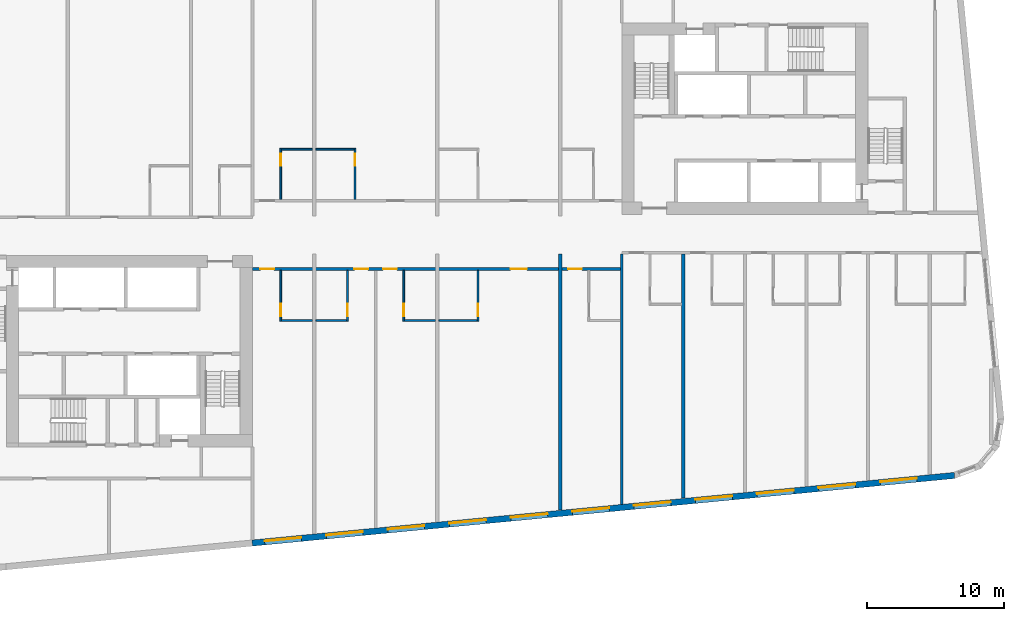
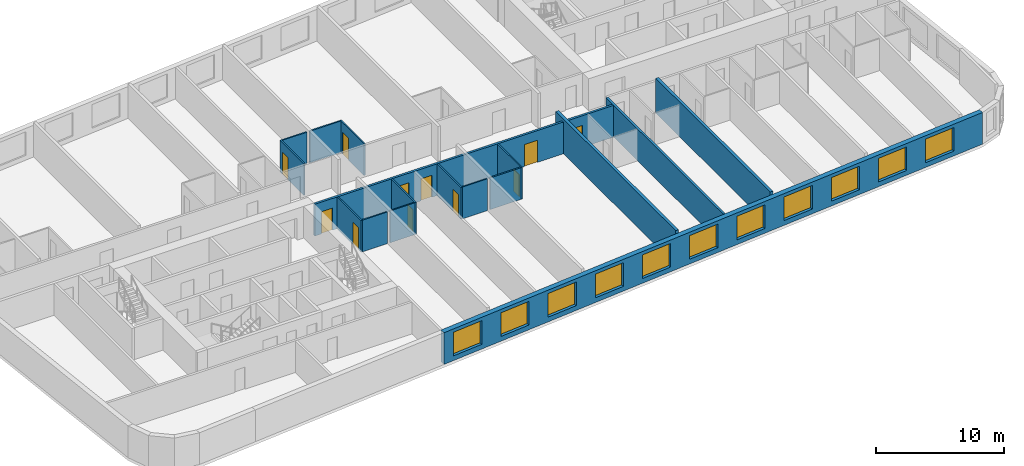
# One storey, part 4 of 12: 17 walls, 11 doors, 11 windows, 22 openings.
"""IFC4 building model written with IfcOpenShell, lengths in metres."""

from ifc_helpers import new_model, si_unit, direction, frame, frame_2d, origin, place, context, subcontext, project, spatial, rectangle, extrude, material, layer, layer_set, type_object, element, fill, save


model = new_model("IFC4")

# Units and contexts
model_context = context("Model", 3, precision=1e-05, world=origin(), true_north=direction((0.0, 1.0)))
body_context = subcontext(model_context, "Body", "Model", "MODEL_VIEW")
ifc_project = project(units=[si_unit("LENGTHUNIT", "METRE"), si_unit("AREAUNIT", "SQUARE_METRE"), si_unit("VOLUMEUNIT", "CUBIC_METRE"), si_unit("PLANEANGLEUNIT", "RADIAN"), si_unit("MASSUNIT", "GRAM", prefix="KILO")], contexts=[model_context])

# Site, building, storey
site_placement = place(None, origin())
site = spatial("IfcSite", under=ifc_project, at=site_placement, CompositionType="ELEMENT")
building_placement = place(site_placement, origin())
building = spatial("IfcBuilding", under=site, at=building_placement, Name="Kajstack Hotel Tower", CompositionType="ELEMENT")
storey_placement = place(building_placement, frame((0.0, 0.0, 190.0)))
storey = spatial("IfcBuildingStorey", under=building, at=storey_placement, Name="L45", CompositionType="ELEMENT", Elevation=190.0)

# Wall, openings, doors
ifc_material_1 = material(Name="Gypsum board on steel studs, mineral wool", Category="steel")
ifc_layer_1 = layer(ifc_material_1, 0.199951171875)
ifc_layer_set_1 = layer_set([ifc_layer_1], Name="Corridor wall 200")
wall_type_1 = type_object("IfcWallType", Name="Corridor wall 200", PredefinedType="PARTITIONING", material=ifc_layer_set_1)
wall_1_placement = place(storey_placement, frame((-13.5, -2.5, 0.0), z_axis=(0.0, 0.0, 1.0), x_axis=(1.0, 0.0, 0.0)))
wall_1 = element("IfcWall", 1, at=wall_1_placement, inside=storey, type_object=wall_type_1, Name="G-wall-L45-022", PredefinedType="PARTITIONING", context=body_context, shape_type="SweptSolid", body=[
    extrude(rectangle(XDim=27.0, YDim=0.199951171875, at=frame_2d((13.5, 0.0))), origin(), (0.0, 0.0, 1.0), 3.02001953125),
])
opening_1_placement = place(wall_1_placement, frame((0.574951171875, 0.0, 0.0)))
opening_1 = element("IfcOpeningElement", 2, at=opening_1_placement, cuts=wall_1, Name="Opening 45017", PredefinedType="OPENING", context=body_context, shape_type="SweptSolid", body=[
    extrude(rectangle(XDim=1.0, YDim=2.10009765625, at=frame_2d((0.5, 1.050048828125))), frame((0.0, 0.10986328125, 0.0), z_axis=(0.0, -1.0, 0.0), x_axis=(1.0, 0.0, 0.0)), (0.0, 0.0, 1.0), 0.219970703125),
])
opening_2_placement = place(wall_1_placement, frame((7.449951171875, 0.0, 0.0)))
opening_2 = element("IfcOpeningElement", 3, at=opening_2_placement, cuts=wall_1, Name="Opening 45019", PredefinedType="OPENING", context=body_context, shape_type="SweptSolid", body=[
    extrude(rectangle(XDim=1.0, YDim=2.10009765625, at=frame_2d((0.5, 1.050048828125))), frame((0.0, 0.10986328125, 0.0), z_axis=(0.0, -1.0, 0.0), x_axis=(1.0, 0.0, 0.0)), (0.0, 0.0, 1.0), 0.219970703125),
])
opening_3_placement = place(wall_1_placement, frame((9.550048828125, 0.0, 0.0)))
opening_3 = element("IfcOpeningElement", 4, at=opening_3_placement, cuts=wall_1, Name="Opening 45021", PredefinedType="OPENING", context=body_context, shape_type="SweptSolid", body=[
    extrude(rectangle(XDim=1.0, YDim=2.10009765625, at=frame_2d((0.5, 1.050048828125))), frame((0.0, 0.10986328125, 0.0), z_axis=(0.0, -1.0, 0.0), x_axis=(1.0, 0.0, 0.0)), (0.0, 0.0, 1.0), 0.219970703125),
])
opening_4_placement = place(wall_1_placement, frame((18.862060546875, 0.0, 0.0)))
opening_4 = element("IfcOpeningElement", 5, at=opening_4_placement, cuts=wall_1, Name="Opening 45023", PredefinedType="OPENING", context=body_context, shape_type="SweptSolid", body=[
    extrude(rectangle(XDim=1.199951171875, YDim=2.10009765625, at=frame_2d((0.60009765625, 1.050048828125))), frame((0.0, 0.10986328125, 0.0), z_axis=(0.0, -1.0, 0.0), x_axis=(1.0, 0.0, 0.0)), (0.0, 0.0, 1.0), 0.219970703125),
])
opening_5_placement = place(wall_1_placement, frame((23.074951171875, 0.0, 0.0)))
opening_5 = element("IfcOpeningElement", 6, at=opening_5_placement, cuts=wall_1, Name="Opening 45025", PredefinedType="OPENING", context=body_context, shape_type="SweptSolid", body=[
    extrude(rectangle(XDim=1.0, YDim=2.10009765625, at=frame_2d((0.5, 1.050048828125))), frame((0.0, 0.10986328125, 0.0), z_axis=(0.0, -1.0, 0.0), x_axis=(1.0, 0.0, 0.0)), (0.0, 0.0, 1.0), 0.219970703125),
])
ifc_material_2 = material(Name="Oak veneer on timber core, fire-rated leaf", Category="wood")
door_type_1 = type_object("IfcDoorType", Name="Flat entrance door 1000", OperationType="SINGLE_SWING_LEFT", PredefinedType="DOOR", material=ifc_material_2)
door_1_placement = place(opening_1_placement, origin())
door_1 = element("IfcDoor", 7, at=door_1_placement, inside=storey, type_object=door_type_1, Name="G-door-L45-17", OperationType="SINGLE_SWING_RIGHT", OverallHeight=2.10009765625, OverallWidth=1.0, PredefinedType="DOOR", context=body_context, shape_type="SweptSolid", body=[
    extrude(rectangle(XDim=1.0, YDim=2.10009765625, at=frame_2d((0.5, 1.050048828125))), frame((0.0, 0.02490234375, 0.0), z_axis=(0.0, -1.0, 0.0), x_axis=(1.0, 0.0, 0.0)), (0.0, 0.0, 1.0), 0.050048828125),
])
fill(opening_1, door_1)
door_2_placement = place(opening_2_placement, origin())
door_2 = element("IfcDoor", 8, at=door_2_placement, inside=storey, type_object=door_type_1, Name="G-door-L45-19", OperationType="SINGLE_SWING_LEFT", OverallHeight=2.10009765625, OverallWidth=1.0, PredefinedType="DOOR", context=body_context, shape_type="SweptSolid", body=[
    extrude(rectangle(XDim=1.0, YDim=2.10009765625, at=frame_2d((0.5, 1.050048828125))), frame((0.0, 0.02490234375, 0.0), z_axis=(0.0, -1.0, 0.0), x_axis=(1.0, 0.0, 0.0)), (0.0, 0.0, 1.0), 0.050048828125),
])
fill(opening_2, door_2)
door_3_placement = place(opening_3_placement, origin())
door_3 = element("IfcDoor", 9, at=door_3_placement, inside=storey, type_object=door_type_1, Name="G-door-L45-21", OperationType="SINGLE_SWING_LEFT", OverallHeight=2.10009765625, OverallWidth=1.0, PredefinedType="DOOR", context=body_context, shape_type="SweptSolid", body=[
    extrude(rectangle(XDim=1.0, YDim=2.10009765625, at=frame_2d((0.5, 1.050048828125))), frame((0.0, 0.02490234375, 0.0), z_axis=(0.0, -1.0, 0.0), x_axis=(1.0, 0.0, 0.0)), (0.0, 0.0, 1.0), 0.050048828125),
])
fill(opening_3, door_3)
door_4_placement = place(opening_5_placement, origin())
door_4 = element("IfcDoor", 10, at=door_4_placement, inside=storey, type_object=door_type_1, Name="G-door-L45-25", OperationType="SINGLE_SWING_RIGHT", OverallHeight=2.10009765625, OverallWidth=1.0, PredefinedType="DOOR", context=body_context, shape_type="SweptSolid", body=[
    extrude(rectangle(XDim=1.0, YDim=2.10009765625, at=frame_2d((0.5, 1.050048828125))), frame((0.0, 0.02490234375, 0.0), z_axis=(0.0, -1.0, 0.0), x_axis=(1.0, 0.0, 0.0)), (0.0, 0.0, 1.0), 0.050048828125),
])
fill(opening_5, door_4)
door_type_2 = type_object("IfcDoorType", Name="Flat entrance door 1200", OperationType="SINGLE_SWING_LEFT", PredefinedType="DOOR", material=ifc_material_2)
door_5_placement = place(opening_4_placement, origin())
door_5 = element("IfcDoor", 11, at=door_5_placement, inside=storey, type_object=door_type_2, Name="G-door-L45-23", OperationType="SINGLE_SWING_RIGHT", OverallHeight=2.10009765625, OverallWidth=1.199951171875, PredefinedType="DOOR", context=body_context, shape_type="SweptSolid", body=[
    extrude(rectangle(XDim=1.199951171875, YDim=2.10009765625, at=frame_2d((0.60009765625, 1.050048828125))), frame((0.0, 0.02490234375, 0.0), z_axis=(0.0, -1.0, 0.0), x_axis=(1.0, 0.0, 0.0)), (0.0, 0.0, 1.0), 0.050048828125),
])
fill(opening_4, door_5)

# Wall
ifc_material_3 = material(Name="Twin-frame gypsum board on steel studs, mineral wool", Category="steel")
ifc_layer_2 = layer(ifc_material_3, 0.199951171875)
ifc_layer_set_2 = layer_set([ifc_layer_2], Name="Demising wall 200")
wall_type_2 = type_object("IfcWallType", Name="Demising wall 200", PredefinedType="PARTITIONING", material=ifc_layer_set_2)
wall_2_placement = place(storey_placement, frame((13.5, -19.700927734375, 0.0), z_axis=(0.0, 0.0, 1.0), x_axis=(0.0, 1.0, 0.0)))
element("IfcWall", 12, at=wall_2_placement, inside=storey, type_object=wall_type_2, Name="G-wall-L45-033", PredefinedType="PARTITIONING", context=body_context, shape_type="SweptSolid", body=[
    extrude(rectangle(XDim=18.301025390625, YDim=0.199951171875, at=frame_2d((9.150390625, 0.0))), origin(), (0.0, 0.0, 1.0), 3.02001953125),
])

# Wall, openings, windows
ifc_material_4 = material(Name="Terracotta-faced brick masonry", Category="masonry")
ifc_layer_3 = layer(ifc_material_4, 0.449951171875)
ifc_layer_set_3 = layer_set([ifc_layer_3], Name="EW-TERRA")
wall_type_3 = type_object("IfcWallType", Name="EW-TERRA", PredefinedType="SOLIDWALL", material=ifc_layer_set_3)
wall_3_placement = place(storey_placement, frame((-13.521484375, -22.528564453125, 0.0), z_axis=(0.0, 0.0, 1.0), x_axis=(0.995396436651, 0.095843277819, 0.0)))
wall_3 = element("IfcWall", 13, at=wall_3_placement, inside=storey, type_object=wall_type_3, Name="E-wall-L45-04-02", PredefinedType="SOLIDWALL", context=body_context, shape_type="SweptSolid", body=[
    extrude(rectangle(XDim=51.57763671875, YDim=0.449951171875, at=frame_2d((25.788818359375, 0.0))), origin(), (0.0, 0.0, 1.0), 3.02001953125),
])
opening_6_placement = place(wall_3_placement, frame((0.910400390625, 0.0, 0.449951171875)))
opening_6 = element("IfcOpeningElement", 14, at=opening_6_placement, cuts=wall_3, Name="Opening W1", PredefinedType="OPENING", context=body_context, shape_type="SweptSolid", body=[
    extrude(rectangle(XDim=2.699951171875, YDim=2.25, at=frame_2d((1.35009765625, 1.125))), frame((0.0, 0.23486328125, 0.0), z_axis=(0.0, -1.0, 0.0), x_axis=(1.0, 0.0, 0.0)), (0.0, 0.0, 1.0), 0.469970703125),
])
opening_7_placement = place(wall_3_placement, frame((5.431396484375, 0.0, 0.449951171875)))
opening_7 = element("IfcOpeningElement", 15, at=opening_7_placement, cuts=wall_3, Name="Opening W1", PredefinedType="OPENING", context=body_context, shape_type="SweptSolid", body=[
    extrude(rectangle(XDim=2.699951171875, YDim=2.25, at=frame_2d((1.35009765625, 1.125))), frame((0.0, 0.23486328125, 0.0), z_axis=(0.0, -1.0, 0.0), x_axis=(1.0, 0.0, 0.0)), (0.0, 0.0, 1.0), 0.469970703125),
])
opening_8_placement = place(wall_3_placement, frame((9.9521484375, 0.0, 0.449951171875)))
opening_8 = element("IfcOpeningElement", 16, at=opening_8_placement, cuts=wall_3, Name="Opening W1", PredefinedType="OPENING", context=body_context, shape_type="SweptSolid", body=[
    extrude(rectangle(XDim=2.699951171875, YDim=2.25, at=frame_2d((1.35009765625, 1.125))), frame((0.0, 0.23486328125, 0.0), z_axis=(0.0, -1.0, 0.0), x_axis=(1.0, 0.0, 0.0)), (0.0, 0.0, 1.0), 0.469970703125),
])
opening_9_placement = place(wall_3_placement, frame((14.472900390625, 0.0, 0.449951171875)))
opening_9 = element("IfcOpeningElement", 17, at=opening_9_placement, cuts=wall_3, Name="Opening W1", PredefinedType="OPENING", context=body_context, shape_type="SweptSolid", body=[
    extrude(rectangle(XDim=2.699951171875, YDim=2.25, at=frame_2d((1.35009765625, 1.125))), frame((0.0, 0.23486328125, 0.0), z_axis=(0.0, -1.0, 0.0), x_axis=(1.0, 0.0, 0.0)), (0.0, 0.0, 1.0), 0.469970703125),
])
opening_10_placement = place(wall_3_placement, frame((18.99365234375, 0.0, 0.449951171875)))
opening_10 = element("IfcOpeningElement", 18, at=opening_10_placement, cuts=wall_3, Name="Opening W1", PredefinedType="OPENING", context=body_context, shape_type="SweptSolid", body=[
    extrude(rectangle(XDim=2.699951171875, YDim=2.25, at=frame_2d((1.35009765625, 1.125))), frame((0.0, 0.23486328125, 0.0), z_axis=(0.0, -1.0, 0.0), x_axis=(1.0, 0.0, 0.0)), (0.0, 0.0, 1.0), 0.469970703125),
])
opening_11_placement = place(wall_3_placement, frame((23.514404296875, 0.0, 0.449951171875)))
opening_11 = element("IfcOpeningElement", 19, at=opening_11_placement, cuts=wall_3, Name="Opening W1", PredefinedType="OPENING", context=body_context, shape_type="SweptSolid", body=[
    extrude(rectangle(XDim=2.699951171875, YDim=2.25, at=frame_2d((1.35009765625, 1.125))), frame((0.0, 0.23486328125, 0.0), z_axis=(0.0, -1.0, 0.0), x_axis=(1.0, 0.0, 0.0)), (0.0, 0.0, 1.0), 0.469970703125),
])
opening_12_placement = place(wall_3_placement, frame((28.035400390625, 0.0, 0.449951171875)))
opening_12 = element("IfcOpeningElement", 20, at=opening_12_placement, cuts=wall_3, Name="Opening W1", PredefinedType="OPENING", context=body_context, shape_type="SweptSolid", body=[
    extrude(rectangle(XDim=2.699951171875, YDim=2.25, at=frame_2d((1.35009765625, 1.125))), frame((0.0, 0.23486328125, 0.0), z_axis=(0.0, -1.0, 0.0), x_axis=(1.0, 0.0, 0.0)), (0.0, 0.0, 1.0), 0.469970703125),
])
opening_13_placement = place(wall_3_placement, frame((32.55615234375, 0.0, 0.449951171875)))
opening_13 = element("IfcOpeningElement", 21, at=opening_13_placement, cuts=wall_3, Name="Opening W1", PredefinedType="OPENING", context=body_context, shape_type="SweptSolid", body=[
    extrude(rectangle(XDim=2.699951171875, YDim=2.25, at=frame_2d((1.35009765625, 1.125))), frame((0.0, 0.23486328125, 0.0), z_axis=(0.0, -1.0, 0.0), x_axis=(1.0, 0.0, 0.0)), (0.0, 0.0, 1.0), 0.469970703125),
])
opening_14_placement = place(wall_3_placement, frame((37.076904296875, 0.0, 0.449951171875)))
opening_14 = element("IfcOpeningElement", 22, at=opening_14_placement, cuts=wall_3, Name="Opening W1", PredefinedType="OPENING", context=body_context, shape_type="SweptSolid", body=[
    extrude(rectangle(XDim=2.699951171875, YDim=2.25, at=frame_2d((1.35009765625, 1.125))), frame((0.0, 0.23486328125, 0.0), z_axis=(0.0, -1.0, 0.0), x_axis=(1.0, 0.0, 0.0)), (0.0, 0.0, 1.0), 0.469970703125),
])
opening_15_placement = place(wall_3_placement, frame((41.597900390625, 0.0, 0.449951171875)))
opening_15 = element("IfcOpeningElement", 23, at=opening_15_placement, cuts=wall_3, Name="Opening W1", PredefinedType="OPENING", context=body_context, shape_type="SweptSolid", body=[
    extrude(rectangle(XDim=2.699951171875, YDim=2.25, at=frame_2d((1.35009765625, 1.125))), frame((0.0, 0.23486328125, 0.0), z_axis=(0.0, -1.0, 0.0), x_axis=(1.0, 0.0, 0.0)), (0.0, 0.0, 1.0), 0.469970703125),
])
opening_16_placement = place(wall_3_placement, frame((46.11865234375, 0.0, 0.449951171875)))
opening_16 = element("IfcOpeningElement", 24, at=opening_16_placement, cuts=wall_3, Name="Opening W1", PredefinedType="OPENING", context=body_context, shape_type="SweptSolid", body=[
    extrude(rectangle(XDim=2.699951171875, YDim=2.25, at=frame_2d((1.35009765625, 1.125))), frame((0.0, 0.23486328125, 0.0), z_axis=(0.0, -1.0, 0.0), x_axis=(1.0, 0.0, 0.0)), (0.0, 0.0, 1.0), 0.469970703125),
])
ifc_material_5 = material(Name="Timber-aluminium window, triple glazed", Category="wood")
window_type = type_object("IfcWindowType", Name="WG1", PartitioningType="SINGLE_PANEL", PredefinedType="WINDOW", material=ifc_material_5)
window_1_placement = place(opening_6_placement, origin())
window_1 = element("IfcWindow", 25, at=window_1_placement, inside=storey, type_object=window_type, Name="Window W1 L45-04", OverallHeight=2.25, OverallWidth=2.699951171875, PartitioningType="SINGLE_PANEL", PredefinedType="WINDOW", context=body_context, shape_type="SweptSolid", body=[
    extrude(rectangle(XDim=2.699951171875, YDim=2.25, at=frame_2d((1.35009765625, 1.125))), frame((0.0, 0.090087890625, 0.0), z_axis=(0.0, -1.0, 0.0), x_axis=(1.0, 0.0, 0.0)), (0.0, 0.0, 1.0), 0.06005859375),
])
fill(opening_6, window_1)
window_2_placement = place(opening_7_placement, origin())
window_2 = element("IfcWindow", 26, at=window_2_placement, inside=storey, type_object=window_type, Name="Window W1 L45-04", OverallHeight=2.25, OverallWidth=2.699951171875, PartitioningType="SINGLE_PANEL", PredefinedType="WINDOW", context=body_context, shape_type="SweptSolid", body=[
    extrude(rectangle(XDim=2.699951171875, YDim=2.25, at=frame_2d((1.35009765625, 1.125))), frame((0.0, 0.090087890625, 0.0), z_axis=(0.0, -1.0, 0.0), x_axis=(1.0, 0.0, 0.0)), (0.0, 0.0, 1.0), 0.06005859375),
])
fill(opening_7, window_2)
window_3_placement = place(opening_8_placement, origin())
window_3 = element("IfcWindow", 27, at=window_3_placement, inside=storey, type_object=window_type, Name="Window W1 L45-04", OverallHeight=2.25, OverallWidth=2.699951171875, PartitioningType="SINGLE_PANEL", PredefinedType="WINDOW", context=body_context, shape_type="SweptSolid", body=[
    extrude(rectangle(XDim=2.699951171875, YDim=2.25, at=frame_2d((1.35009765625, 1.125))), frame((0.0, 0.090087890625, 0.0), z_axis=(0.0, -1.0, 0.0), x_axis=(1.0, 0.0, 0.0)), (0.0, 0.0, 1.0), 0.06005859375),
])
fill(opening_8, window_3)
window_4_placement = place(opening_9_placement, origin())
window_4 = element("IfcWindow", 28, at=window_4_placement, inside=storey, type_object=window_type, Name="Window W1 L45-04", OverallHeight=2.25, OverallWidth=2.699951171875, PartitioningType="SINGLE_PANEL", PredefinedType="WINDOW", context=body_context, shape_type="SweptSolid", body=[
    extrude(rectangle(XDim=2.699951171875, YDim=2.25, at=frame_2d((1.35009765625, 1.125))), frame((0.0, 0.090087890625, 0.0), z_axis=(0.0, -1.0, 0.0), x_axis=(1.0, 0.0, 0.0)), (0.0, 0.0, 1.0), 0.06005859375),
])
fill(opening_9, window_4)
window_5_placement = place(opening_10_placement, origin())
window_5 = element("IfcWindow", 29, at=window_5_placement, inside=storey, type_object=window_type, Name="Window W1 L45-04", OverallHeight=2.25, OverallWidth=2.699951171875, PartitioningType="SINGLE_PANEL", PredefinedType="WINDOW", context=body_context, shape_type="SweptSolid", body=[
    extrude(rectangle(XDim=2.699951171875, YDim=2.25, at=frame_2d((1.35009765625, 1.125))), frame((0.0, 0.090087890625, 0.0), z_axis=(0.0, -1.0, 0.0), x_axis=(1.0, 0.0, 0.0)), (0.0, 0.0, 1.0), 0.06005859375),
])
fill(opening_10, window_5)
window_6_placement = place(opening_11_placement, origin())
window_6 = element("IfcWindow", 30, at=window_6_placement, inside=storey, type_object=window_type, Name="Window W1 L45-04", OverallHeight=2.25, OverallWidth=2.699951171875, PartitioningType="SINGLE_PANEL", PredefinedType="WINDOW", context=body_context, shape_type="SweptSolid", body=[
    extrude(rectangle(XDim=2.699951171875, YDim=2.25, at=frame_2d((1.35009765625, 1.125))), frame((0.0, 0.090087890625, 0.0), z_axis=(0.0, -1.0, 0.0), x_axis=(1.0, 0.0, 0.0)), (0.0, 0.0, 1.0), 0.06005859375),
])
fill(opening_11, window_6)
window_7_placement = place(opening_12_placement, origin())
window_7 = element("IfcWindow", 31, at=window_7_placement, inside=storey, type_object=window_type, Name="Window W1 L45-04", OverallHeight=2.25, OverallWidth=2.699951171875, PartitioningType="SINGLE_PANEL", PredefinedType="WINDOW", context=body_context, shape_type="SweptSolid", body=[
    extrude(rectangle(XDim=2.699951171875, YDim=2.25, at=frame_2d((1.35009765625, 1.125))), frame((0.0, 0.090087890625, 0.0), z_axis=(0.0, -1.0, 0.0), x_axis=(1.0, 0.0, 0.0)), (0.0, 0.0, 1.0), 0.06005859375),
])
fill(opening_12, window_7)
window_8_placement = place(opening_13_placement, origin())
window_8 = element("IfcWindow", 32, at=window_8_placement, inside=storey, type_object=window_type, Name="Window W1 L45-04", OverallHeight=2.25, OverallWidth=2.699951171875, PartitioningType="SINGLE_PANEL", PredefinedType="WINDOW", context=body_context, shape_type="SweptSolid", body=[
    extrude(rectangle(XDim=2.699951171875, YDim=2.25, at=frame_2d((1.35009765625, 1.125))), frame((0.0, 0.090087890625, 0.0), z_axis=(0.0, -1.0, 0.0), x_axis=(1.0, 0.0, 0.0)), (0.0, 0.0, 1.0), 0.06005859375),
])
fill(opening_13, window_8)
window_9_placement = place(opening_14_placement, origin())
window_9 = element("IfcWindow", 33, at=window_9_placement, inside=storey, type_object=window_type, Name="Window W1 L45-04", OverallHeight=2.25, OverallWidth=2.699951171875, PartitioningType="SINGLE_PANEL", PredefinedType="WINDOW", context=body_context, shape_type="SweptSolid", body=[
    extrude(rectangle(XDim=2.699951171875, YDim=2.25, at=frame_2d((1.35009765625, 1.125))), frame((0.0, 0.090087890625, 0.0), z_axis=(0.0, -1.0, 0.0), x_axis=(1.0, 0.0, 0.0)), (0.0, 0.0, 1.0), 0.06005859375),
])
fill(opening_14, window_9)
window_10_placement = place(opening_15_placement, origin())
window_10 = element("IfcWindow", 34, at=window_10_placement, inside=storey, type_object=window_type, Name="Window W1 L45-04", OverallHeight=2.25, OverallWidth=2.699951171875, PartitioningType="SINGLE_PANEL", PredefinedType="WINDOW", context=body_context, shape_type="SweptSolid", body=[
    extrude(rectangle(XDim=2.699951171875, YDim=2.25, at=frame_2d((1.35009765625, 1.125))), frame((0.0, 0.090087890625, 0.0), z_axis=(0.0, -1.0, 0.0), x_axis=(1.0, 0.0, 0.0)), (0.0, 0.0, 1.0), 0.06005859375),
])
fill(opening_15, window_10)
window_11_placement = place(opening_16_placement, origin())
window_11 = element("IfcWindow", 35, at=window_11_placement, inside=storey, type_object=window_type, Name="Window W1 L45-04", OverallHeight=2.25, OverallWidth=2.699951171875, PartitioningType="SINGLE_PANEL", PredefinedType="WINDOW", context=body_context, shape_type="SweptSolid", body=[
    extrude(rectangle(XDim=2.699951171875, YDim=2.25, at=frame_2d((1.35009765625, 1.125))), frame((0.0, 0.090087890625, 0.0), z_axis=(0.0, -1.0, 0.0), x_axis=(1.0, 0.0, 0.0)), (0.0, 0.0, 1.0), 0.06005859375),
])
fill(opening_16, window_11)

# Wall, opening, door
ifc_material_6 = material(Name="Gypsum board and tiled backer on steel studs", Category="steel")
ifc_layer_4 = layer(ifc_material_6, 0.125)
ifc_layer_set_4 = layer_set([ifc_layer_4], Name="En-suite wall 125")
wall_type_4 = type_object("IfcWallType", Name="En-suite wall 125", PredefinedType="PARTITIONING", material=ifc_layer_set_4)
wall_4_placement = place(storey_placement, frame((-11.43798828125, 2.60009765625, 0.0), z_axis=(0.0, 0.0, 1.0), x_axis=(0.0, 1.0, 0.0)))
wall_4 = element("IfcWall", 36, at=wall_4_placement, inside=storey, type_object=wall_type_4, Name="G-wall-L45-014", PredefinedType="PARTITIONING", context=body_context, shape_type="SweptSolid", body=[
    extrude(rectangle(XDim=3.724853515625, YDim=0.125, at=frame_2d((1.8623046875, 0.0))), origin(), (0.0, 0.0, 1.0), 3.02001953125),
])
opening_17_placement = place(wall_4_placement, frame((2.449951171875, 0.0, 0.0)))
opening_17 = element("IfcOpeningElement", 37, at=opening_17_placement, cuts=wall_4, Name="Opening 45010", PredefinedType="OPENING", context=body_context, shape_type="SweptSolid", body=[
    extrude(rectangle(XDim=0.89990234375, YDim=2.10009765625, at=frame_2d((0.449951171875, 1.050048828125))), frame((0.0, 0.072509765625, 0.0), z_axis=(0.0, -1.0, 0.0), x_axis=(1.0, 0.0, 0.0)), (0.0, 0.0, 1.0), 0.14501953125),
])
ifc_material_7 = material(Name="Painted timber door leaf", Category="wood")
door_type_3 = type_object("IfcDoorType", Name="Room door 900", OperationType="SINGLE_SWING_LEFT", PredefinedType="DOOR", material=ifc_material_7)
door_6_placement = place(opening_17_placement, origin())
door_6 = element("IfcDoor", 38, at=door_6_placement, inside=storey, type_object=door_type_3, Name="G-door-L45-10", OperationType="SINGLE_SWING_RIGHT", OverallHeight=2.10009765625, OverallWidth=0.89990234375, PredefinedType="DOOR", context=body_context, shape_type="SweptSolid", body=[
    extrude(rectangle(XDim=0.89990234375, YDim=2.10009765625, at=frame_2d((0.449951171875, 1.050048828125))), frame((0.0, 0.02490234375, 0.0), z_axis=(0.0, -1.0, 0.0), x_axis=(1.0, 0.0, 0.0)), (0.0, 0.0, 1.0), 0.050048828125),
])
fill(opening_17, door_6)

# Wall
wall_5_placement = place(storey_placement, frame((-11.375, 6.262939453125, 0.0), z_axis=(0.0, 0.0, 1.0), x_axis=(1.0, 0.0, 0.0)))
element("IfcWall", 39, at=wall_5_placement, inside=storey, type_object=wall_type_4, Name="G-wall-L45-015", PredefinedType="PARTITIONING", context=body_context, shape_type="SweptSolid", body=[
    extrude(rectangle(XDim=2.25, YDim=0.125, at=frame_2d((1.125, 0.0))), origin(), (0.0, 0.0, 1.0), 3.02001953125),
])

# Wall, opening, door
wall_6_placement = place(storey_placement, frame((-6.012939453125, 2.60009765625, 0.0), z_axis=(0.0, 0.0, 1.0), x_axis=(0.0, 1.0, 0.0)))
wall_6 = element("IfcWall", 40, at=wall_6_placement, inside=storey, type_object=wall_type_4, Name="G-wall-L45-016", PredefinedType="PARTITIONING", context=body_context, shape_type="SweptSolid", body=[
    extrude(rectangle(XDim=3.724853515625, YDim=0.125, at=frame_2d((1.8623046875, 0.0))), origin(), (0.0, 0.0, 1.0), 3.02001953125),
])
opening_18_placement = place(wall_6_placement, frame((2.449951171875, 0.0, 0.0)))
opening_18 = element("IfcOpeningElement", 41, at=opening_18_placement, cuts=wall_6, Name="Opening 45012", PredefinedType="OPENING", context=body_context, shape_type="SweptSolid", body=[
    extrude(rectangle(XDim=0.89990234375, YDim=2.10009765625, at=frame_2d((0.449951171875, 1.050048828125))), frame((0.0, 0.072509765625, 0.0), z_axis=(0.0, -1.0, 0.0), x_axis=(1.0, 0.0, 0.0)), (0.0, 0.0, 1.0), 0.14501953125),
])
door_7_placement = place(opening_18_placement, origin())
door_7 = element("IfcDoor", 42, at=door_7_placement, inside=storey, type_object=door_type_3, Name="G-door-L45-12", OperationType="SINGLE_SWING_LEFT", OverallHeight=2.10009765625, OverallWidth=0.89990234375, PredefinedType="DOOR", context=body_context, shape_type="SweptSolid", body=[
    extrude(rectangle(XDim=0.89990234375, YDim=2.10009765625, at=frame_2d((0.449951171875, 1.050048828125))), frame((0.0, 0.02490234375, 0.0), z_axis=(0.0, -1.0, 0.0), x_axis=(1.0, 0.0, 0.0)), (0.0, 0.0, 1.0), 0.050048828125),
])
fill(opening_18, door_7)

# Wall
wall_7_placement = place(storey_placement, frame((-8.875, 6.262939453125, 0.0), z_axis=(0.0, 0.0, 1.0), x_axis=(1.0, 0.0, 0.0)))
element("IfcWall", 43, at=wall_7_placement, inside=storey, type_object=wall_type_4, Name="G-wall-L45-017", PredefinedType="PARTITIONING", context=body_context, shape_type="SweptSolid", body=[
    extrude(rectangle(XDim=2.800048828125, YDim=0.125, at=frame_2d((1.39990234375, 0.0))), origin(), (0.0, 0.0, 1.0), 3.02001953125),
])

# Wall, opening, door
wall_8_placement = place(storey_placement, frame((-11.43798828125, -6.324951171875, 0.0), z_axis=(0.0, 0.0, 1.0), x_axis=(0.0, 1.0, 0.0)))
wall_8 = element("IfcWall", 44, at=wall_8_placement, inside=storey, type_object=wall_type_4, Name="G-wall-L45-024", PredefinedType="PARTITIONING", context=body_context, shape_type="SweptSolid", body=[
    extrude(rectangle(XDim=3.724853515625, YDim=0.125, at=frame_2d((1.8623046875, 0.0))), origin(), (0.0, 0.0, 1.0), 3.02001953125),
])
opening_19_placement = place(wall_8_placement, frame((0.375, 0.0, 0.0)))
opening_19 = element("IfcOpeningElement", 45, at=opening_19_placement, cuts=wall_8, Name="Opening 45018", PredefinedType="OPENING", context=body_context, shape_type="SweptSolid", body=[
    extrude(rectangle(XDim=0.89990234375, YDim=2.10009765625, at=frame_2d((0.449951171875, 1.050048828125))), frame((0.0, 0.072509765625, 0.0), z_axis=(0.0, -1.0, 0.0), x_axis=(1.0, 0.0, 0.0)), (0.0, 0.0, 1.0), 0.14501953125),
])
door_8_placement = place(opening_19_placement, origin())
door_8 = element("IfcDoor", 46, at=door_8_placement, inside=storey, type_object=door_type_3, Name="G-door-L45-18", OperationType="SINGLE_SWING_RIGHT", OverallHeight=2.10009765625, OverallWidth=0.89990234375, PredefinedType="DOOR", context=body_context, shape_type="SweptSolid", body=[
    extrude(rectangle(XDim=0.89990234375, YDim=2.10009765625, at=frame_2d((0.449951171875, 1.050048828125))), frame((0.0, 0.02490234375, 0.0), z_axis=(0.0, -1.0, 0.0), x_axis=(1.0, 0.0, 0.0)), (0.0, 0.0, 1.0), 0.050048828125),
])
fill(opening_19, door_8)

# Wall
wall_9_placement = place(storey_placement, frame((-11.375, -6.262939453125, 0.0), z_axis=(0.0, 0.0, 1.0), x_axis=(1.0, 0.0, 0.0)))
element("IfcWall", 47, at=wall_9_placement, inside=storey, type_object=wall_type_4, Name="G-wall-L45-025", PredefinedType="PARTITIONING", context=body_context, shape_type="SweptSolid", body=[
    extrude(rectangle(XDim=2.25, YDim=0.125, at=frame_2d((1.125, 0.0))), origin(), (0.0, 0.0, 1.0), 3.02001953125),
])

# Wall, opening, door
wall_10_placement = place(storey_placement, frame((-6.56201171875, -6.324951171875, 0.0), z_axis=(0.0, 0.0, 1.0), x_axis=(0.0, 1.0, 0.0)))
wall_10 = element("IfcWall", 48, at=wall_10_placement, inside=storey, type_object=wall_type_4, Name="G-wall-L45-027", PredefinedType="PARTITIONING", context=body_context, shape_type="SweptSolid", body=[
    extrude(rectangle(XDim=3.724853515625, YDim=0.125, at=frame_2d((1.8623046875, 0.0))), origin(), (0.0, 0.0, 1.0), 3.02001953125),
])
opening_20_placement = place(wall_10_placement, frame((0.375, 0.0, 0.0)))
opening_20 = element("IfcOpeningElement", 49, at=opening_20_placement, cuts=wall_10, Name="Opening 45020", PredefinedType="OPENING", context=body_context, shape_type="SweptSolid", body=[
    extrude(rectangle(XDim=0.89990234375, YDim=2.10009765625, at=frame_2d((0.449951171875, 1.050048828125))), frame((0.0, 0.072509765625, 0.0), z_axis=(0.0, -1.0, 0.0), x_axis=(1.0, 0.0, 0.0)), (0.0, 0.0, 1.0), 0.14501953125),
])
door_9_placement = place(opening_20_placement, origin())
door_9 = element("IfcDoor", 50, at=door_9_placement, inside=storey, type_object=door_type_3, Name="G-door-L45-20", OperationType="SINGLE_SWING_LEFT", OverallHeight=2.10009765625, OverallWidth=0.89990234375, PredefinedType="DOOR", context=body_context, shape_type="SweptSolid", body=[
    extrude(rectangle(XDim=0.89990234375, YDim=2.10009765625, at=frame_2d((0.449951171875, 1.050048828125))), frame((0.0, 0.02490234375, 0.0), z_axis=(0.0, -1.0, 0.0), x_axis=(1.0, 0.0, 0.0)), (0.0, 0.0, 1.0), 0.050048828125),
])
fill(opening_20, door_9)

# Wall
wall_11_placement = place(storey_placement, frame((-8.875, -6.262939453125, 0.0), z_axis=(0.0, 0.0, 1.0), x_axis=(1.0, 0.0, 0.0)))
element("IfcWall", 51, at=wall_11_placement, inside=storey, type_object=wall_type_4, Name="G-wall-L45-028", PredefinedType="PARTITIONING", context=body_context, shape_type="SweptSolid", body=[
    extrude(rectangle(XDim=2.25, YDim=0.125, at=frame_2d((1.125, 0.0))), origin(), (0.0, 0.0, 1.0), 3.02001953125),
])

# Wall, opening, door
wall_12_placement = place(storey_placement, frame((-2.43798828125, -6.324951171875, 0.0), z_axis=(0.0, 0.0, 1.0), x_axis=(0.0, 1.0, 0.0)))
wall_12 = element("IfcWall", 52, at=wall_12_placement, inside=storey, type_object=wall_type_4, Name="G-wall-L45-029", PredefinedType="PARTITIONING", context=body_context, shape_type="SweptSolid", body=[
    extrude(rectangle(XDim=3.724853515625, YDim=0.125, at=frame_2d((1.8623046875, 0.0))), origin(), (0.0, 0.0, 1.0), 3.02001953125),
])
opening_21_placement = place(wall_12_placement, frame((0.375, 0.0, 0.0)))
opening_21 = element("IfcOpeningElement", 53, at=opening_21_placement, cuts=wall_12, Name="Opening 45022", PredefinedType="OPENING", context=body_context, shape_type="SweptSolid", body=[
    extrude(rectangle(XDim=0.89990234375, YDim=2.10009765625, at=frame_2d((0.449951171875, 1.050048828125))), frame((0.0, 0.072509765625, 0.0), z_axis=(0.0, -1.0, 0.0), x_axis=(1.0, 0.0, 0.0)), (0.0, 0.0, 1.0), 0.14501953125),
])
door_10_placement = place(opening_21_placement, origin())
door_10 = element("IfcDoor", 54, at=door_10_placement, inside=storey, type_object=door_type_3, Name="G-door-L45-22", OperationType="SINGLE_SWING_LEFT", OverallHeight=2.10009765625, OverallWidth=0.89990234375, PredefinedType="DOOR", context=body_context, shape_type="SweptSolid", body=[
    extrude(rectangle(XDim=0.89990234375, YDim=2.10009765625, at=frame_2d((0.449951171875, 1.050048828125))), frame((0.0, 0.02490234375, 0.0), z_axis=(0.0, -1.0, 0.0), x_axis=(1.0, 0.0, 0.0)), (0.0, 0.0, 1.0), 0.050048828125),
])
fill(opening_21, door_10)

# Wall
wall_13_placement = place(storey_placement, frame((-2.375, -6.262939453125, 0.0), z_axis=(0.0, 0.0, 1.0), x_axis=(1.0, 0.0, 0.0)))
element("IfcWall", 55, at=wall_13_placement, inside=storey, type_object=wall_type_4, Name="G-wall-L45-030", PredefinedType="PARTITIONING", context=body_context, shape_type="SweptSolid", body=[
    extrude(rectangle(XDim=2.25, YDim=0.125, at=frame_2d((1.125, 0.0))), origin(), (0.0, 0.0, 1.0), 3.02001953125),
])

# Wall, opening, door
wall_14_placement = place(storey_placement, frame((2.987060546875, -6.324951171875, 0.0), z_axis=(0.0, 0.0, 1.0), x_axis=(0.0, 1.0, 0.0)))
wall_14 = element("IfcWall", 56, at=wall_14_placement, inside=storey, type_object=wall_type_4, Name="G-wall-L45-031", PredefinedType="PARTITIONING", context=body_context, shape_type="SweptSolid", body=[
    extrude(rectangle(XDim=3.724853515625, YDim=0.125, at=frame_2d((1.8623046875, 0.0))), origin(), (0.0, 0.0, 1.0), 3.02001953125),
])
opening_22_placement = place(wall_14_placement, frame((0.375, 0.0, 0.0)))
opening_22 = element("IfcOpeningElement", 57, at=opening_22_placement, cuts=wall_14, Name="Opening 45024", PredefinedType="OPENING", context=body_context, shape_type="SweptSolid", body=[
    extrude(rectangle(XDim=0.89990234375, YDim=2.10009765625, at=frame_2d((0.449951171875, 1.050048828125))), frame((0.0, 0.072509765625, 0.0), z_axis=(0.0, -1.0, 0.0), x_axis=(1.0, 0.0, 0.0)), (0.0, 0.0, 1.0), 0.14501953125),
])
door_11_placement = place(opening_22_placement, origin())
door_11 = element("IfcDoor", 58, at=door_11_placement, inside=storey, type_object=door_type_3, Name="G-door-L45-24", OperationType="SINGLE_SWING_LEFT", OverallHeight=2.10009765625, OverallWidth=0.89990234375, PredefinedType="DOOR", context=body_context, shape_type="SweptSolid", body=[
    extrude(rectangle(XDim=0.89990234375, YDim=2.10009765625, at=frame_2d((0.449951171875, 1.050048828125))), frame((0.0, 0.02490234375, 0.0), z_axis=(0.0, -1.0, 0.0), x_axis=(1.0, 0.0, 0.0)), (0.0, 0.0, 1.0), 0.050048828125),
])
fill(opening_22, door_11)

# Walls
wall_15_placement = place(storey_placement, frame((0.125, -6.262939453125, 0.0), z_axis=(0.0, 0.0, 1.0), x_axis=(1.0, 0.0, 0.0)))
element("IfcWall", 59, at=wall_15_placement, inside=storey, type_object=wall_type_4, Name="G-wall-L45-032", PredefinedType="PARTITIONING", context=body_context, shape_type="SweptSolid", body=[
    extrude(rectangle(XDim=2.800048828125, YDim=0.125, at=frame_2d((1.39990234375, 0.0))), origin(), (0.0, 0.0, 1.0), 3.02001953125),
])
ifc_material_8 = material(Name="Concrete C50/60", Category="concrete")
ifc_layer_5 = layer(ifc_material_8, 0.25)
ifc_layer_set_5 = layer_set([ifc_layer_5], Name="RC cross wall 250 C50/60")
wall_type_5 = type_object("IfcWallType", Name="RC cross wall 250 C50/60", PredefinedType="SHEAR", material=ifc_layer_set_5)
wall_16_placement = place(storey_placement, frame((9.0, -20.11181640625, 0.0), z_axis=(0.0, 0.0, 1.0), x_axis=(0.0, 1.0, 0.0)))
element("IfcWall", 60, at=wall_16_placement, inside=storey, type_object=wall_type_5, Name="S-wall-L45-08", PredefinedType="SHEAR", context=body_context, shape_type="SweptSolid", body=[
    extrude(rectangle(XDim=18.7119140625, YDim=0.25, at=frame_2d((9.35595703125, 0.0))), origin(), (0.0, 0.0, 1.0), 3.300048828125),
])
wall_17_placement = place(storey_placement, frame((18.0, -19.245361328125, 0.0), z_axis=(0.0, 0.0, 1.0), x_axis=(0.0, 1.0, 0.0)))
element("IfcWall", 61, at=wall_17_placement, inside=storey, type_object=wall_type_5, Name="S-wall-L45-10", PredefinedType="SHEAR", context=body_context, shape_type="SweptSolid", body=[
    extrude(rectangle(XDim=17.845458984375, YDim=0.25, at=frame_2d((8.9228515625, 0.0))), origin(), (0.0, 0.0, 1.0), 3.300048828125),
])

save(model, "model.ifc")
